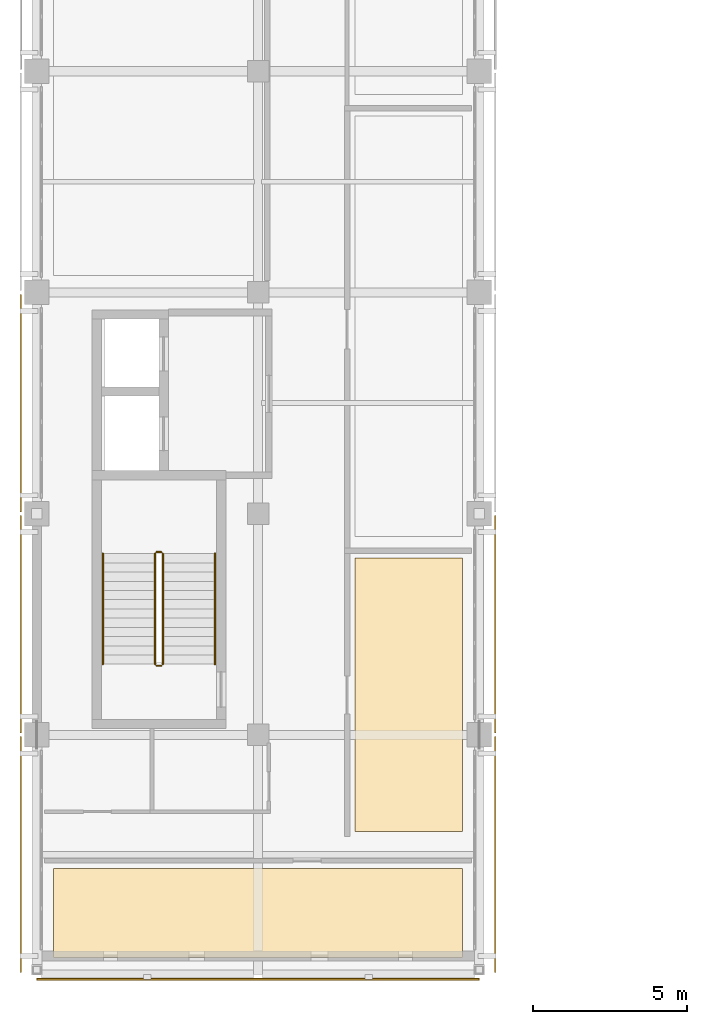
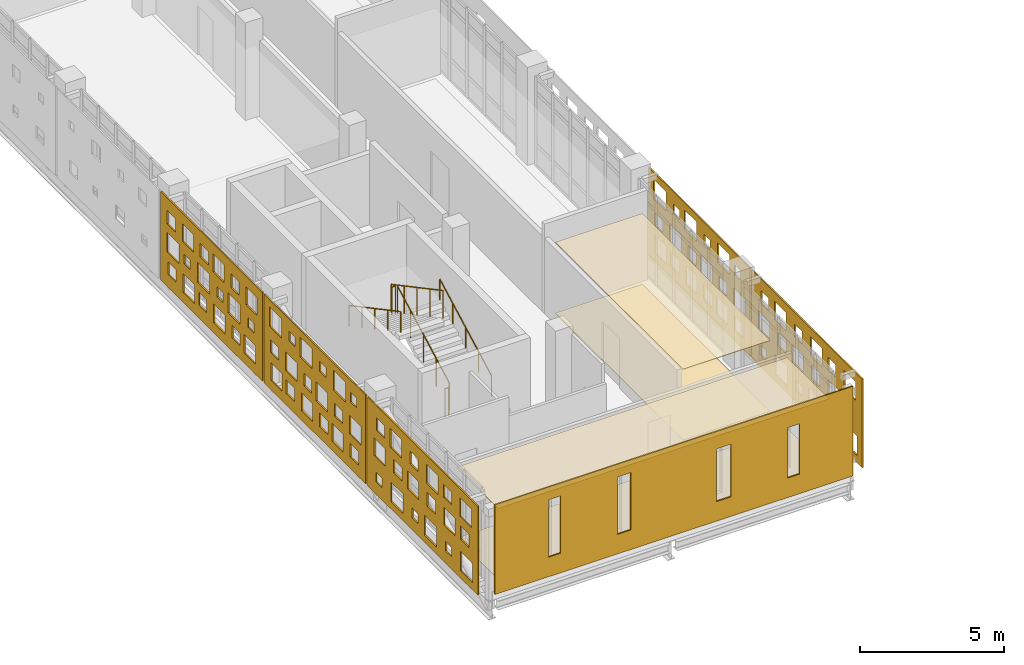
# One storey, part 30 of 33: 10 coverings, 6 railings.
"""IFC4 building model written with IfcOpenShell, lengths in metres."""

from ifc_helpers import new_model, si_unit, direction, frame, origin, origin_2d, place, context, subcontext, project, spatial, polyline, circle, outline, extrude, material, layer, layer_set, type_object, element, save


model = new_model("IFC4")

# Units and contexts
model_context = context("Model", 3, precision=1e-05, world=origin(), true_north=direction((0.0, 1.0)))
body_context = subcontext(model_context, "Body", "Model", "MODEL_VIEW")
ifc_project = project(units=[si_unit("LENGTHUNIT", "METRE"), si_unit("AREAUNIT", "SQUARE_METRE"), si_unit("VOLUMEUNIT", "CUBIC_METRE"), si_unit("PLANEANGLEUNIT", "RADIAN"), si_unit("MASSUNIT", "GRAM", prefix="KILO")], contexts=[model_context])

# Site, building, storey
site_placement = place(None, origin())
site = spatial("IfcSite", under=ifc_project, at=site_placement, CompositionType="ELEMENT")
building_placement = place(site_placement, origin())
building = spatial("IfcBuilding", under=site, at=building_placement, Name="Valkovuoma Quantum and Materials Research Institute", CompositionType="ELEMENT")
storey_placement = place(building_placement, frame((0.0, 0.0, 25.60009765625)))
storey = spatial("IfcBuildingStorey", under=building, at=storey_placement, Name="L06", CompositionType="ELEMENT", Elevation=25.60009765625)

# Coverings
ifc_material_1 = material(Name="Cleanable acoustic mineral-fibre suspended ceiling", Category="masonry")
ifc_layer_1 = layer(ifc_material_1, 0.02490234375)
ifc_layer_set_1 = layer_set([ifc_layer_1], Name="Cleanable acoustic mineral-fibre suspended ceiling")
covering_type_1 = type_object("IfcCoveringType", Name="Cov-CEIL-01", PredefinedType="CEILING", material=ifc_layer_set_1)
covering_1_placement = place(storey_placement, frame((0.0, 0.0, 3.0)))
element("IfcCovering", 1, at=covering_1_placement, inside=storey, type_object=covering_type_1, Name="L06 acoustic ceiling 0133", PredefinedType="CEILING", context=body_context, shape_type="SweptSolid", body=[
    extrude(outline(polyline([(0.550048828125, 21.550048828125), (13.85009765625, 21.550048828125), (13.85009765625, 24.449951171875), (0.550048828125, 24.449951171875), (0.550048828125, 21.550048828125)])), origin(), (0.0, 0.0, 1.0), 0.02490234375),
])
covering_2_placement = place(storey_placement, frame((0.0, 0.0, 3.0)))
element("IfcCovering", 2, at=covering_2_placement, inside=storey, type_object=covering_type_1, Name="L06 acoustic ceiling 0137", PredefinedType="CEILING", context=body_context, shape_type="SweptSolid", body=[
    extrude(outline(polyline([(10.35009765625, 25.64990234375), (13.85009765625, 25.64990234375), (13.85009765625, 34.550048828125), (10.35009765625, 34.550048828125), (10.35009765625, 25.64990234375)])), origin(), (0.0, 0.0, 1.0), 0.02490234375),
])
ifc_material_2 = material(Name="Seamless dissipative laboratory resin flooring", Category="masonry")
ifc_layer_2 = layer(ifc_material_2, 0.014892578125)
ifc_layer_set_2 = layer_set([ifc_layer_2], Name="Seamless dissipative laboratory resin flooring")
covering_type_2 = type_object("IfcCoveringType", Name="Cov-FLOR-01", PredefinedType="FLOORING", material=ifc_layer_set_2)
covering_3_placement = place(storey_placement, origin())
element("IfcCovering", 3, at=covering_3_placement, inside=storey, type_object=covering_type_2, Name="L06 resin flooring 0133", PredefinedType="FLOORING", context=body_context, shape_type="SweptSolid", body=[
    extrude(outline(polyline([(0.550048828125, 21.550048828125), (13.85009765625, 21.550048828125), (13.85009765625, 24.449951171875), (0.550048828125, 24.449951171875), (0.550048828125, 21.550048828125)])), origin(), (0.0, 0.0, 1.0), 0.014892578125),
])
covering_4_placement = place(storey_placement, origin())
element("IfcCovering", 4, at=covering_4_placement, inside=storey, type_object=covering_type_2, Name="L06 resin flooring 0137", PredefinedType="FLOORING", context=body_context, shape_type="SweptSolid", body=[
    extrude(outline(polyline([(10.35009765625, 25.64990234375), (13.85009765625, 25.64990234375), (13.85009765625, 34.550048828125), (10.35009765625, 34.550048828125), (10.35009765625, 25.64990234375)])), origin(), (0.0, 0.0, 1.0), 0.014892578125),
])
ifc_material_3 = material(Name="White powder-coated aluminium architectural panel", Category="aluminium")
ifc_layer_3 = layer(ifc_material_3, 0.054931640625)
ifc_layer_set_3 = layer_set([ifc_layer_3], Name="White powder-coated aluminium architectural panel")
covering_type_3 = type_object("IfcCoveringType", Name="Cov-PERF-DENSE", PredefinedType="CLADDING", material=ifc_layer_set_3)
covering_5_placement = place(storey_placement, frame((-0.52001953125, 21.06005859375, 0.02001953125), z_axis=(0.0, 0.0, 1.0), x_axis=(0.0, 1.0, 0.0)))
element("IfcCovering", 5, at=covering_5_placement, inside=storey, type_object=covering_type_3, Name="L06 graduated perforated white screen W-0076", PredefinedType="CLADDING", context=body_context, shape_type="SweptSolid", body=[
    extrude(outline(polyline([(0.0, 0.0), (7.679931640625, 0.0), (7.679931640625, 3.769775390625), (0.0, 3.769775390625), (0.0, 0.0)]), holes=[polyline([(0.368408203125, 0.304931640625), (0.368408203125, 1.14501953125), (1.208251953125, 1.14501953125), (1.208251953125, 0.304931640625), (0.368408203125, 0.304931640625)]), polyline([(0.618408203125, 1.64501953125), (0.618408203125, 2.22509765625), (1.1982421875, 2.22509765625), (1.1982421875, 1.64501953125), (0.618408203125, 1.64501953125)]), polyline([(0.4482421875, 2.594970703125), (0.4482421875, 3.39501953125), (1.248291015625, 3.39501953125), (1.248291015625, 2.594970703125), (0.4482421875, 2.594970703125)]), polyline([(1.8349609375, 0.514892578125), (1.8349609375, 0.93505859375), (2.2548828125, 0.93505859375), (2.2548828125, 0.514892578125), (1.8349609375, 0.514892578125)]), polyline([(1.60498046875, 1.554931640625), (1.60498046875, 2.31494140625), (2.364990234375, 2.31494140625), (2.364990234375, 1.554931640625), (1.60498046875, 1.554931640625)]), polyline([(1.8349609375, 2.72509765625), (1.8349609375, 3.264892578125), (2.375, 3.264892578125), (2.375, 2.72509765625), (1.8349609375, 2.72509765625)]), polyline([(2.881591796875, 0.304931640625), (2.881591796875, 1.14501953125), (3.7216796875, 1.14501953125), (3.7216796875, 0.304931640625), (2.881591796875, 0.304931640625)]), polyline([(2.95166015625, 1.64501953125), (2.95166015625, 2.22509765625), (3.53173828125, 2.22509765625), (3.53173828125, 1.64501953125), (2.95166015625, 1.64501953125)]), polyline([(2.78173828125, 2.594970703125), (2.78173828125, 3.39501953125), (3.581787109375, 3.39501953125), (3.581787109375, 2.594970703125), (2.78173828125, 2.594970703125)]), polyline([(4.168212890625, 0.514892578125), (4.168212890625, 0.93505859375), (4.58837890625, 0.93505859375), (4.58837890625, 0.514892578125), (4.168212890625, 0.514892578125)]), polyline([(4.118408203125, 1.554931640625), (4.118408203125, 2.31494140625), (4.87841796875, 2.31494140625), (4.87841796875, 1.554931640625), (4.118408203125, 1.554931640625)]), polyline([(4.168212890625, 2.72509765625), (4.168212890625, 3.264892578125), (4.708251953125, 3.264892578125), (4.708251953125, 2.72509765625), (4.168212890625, 2.72509765625)]), polyline([(5.215087890625, 0.304931640625), (5.215087890625, 1.14501953125), (6.054931640625, 1.14501953125), (6.054931640625, 0.304931640625), (5.215087890625, 0.304931640625)]), polyline([(5.284912109375, 1.64501953125), (5.284912109375, 2.22509765625), (5.864990234375, 2.22509765625), (5.864990234375, 1.64501953125), (5.284912109375, 1.64501953125)]), polyline([(5.294921875, 2.594970703125), (5.294921875, 3.39501953125), (6.094970703125, 3.39501953125), (6.094970703125, 2.594970703125), (5.294921875, 2.594970703125)]), polyline([(6.681640625, 0.514892578125), (6.681640625, 0.93505859375), (7.101806640625, 0.93505859375), (7.101806640625, 0.514892578125), (6.681640625, 0.514892578125)]), polyline([(6.45166015625, 1.554931640625), (6.45166015625, 2.31494140625), (7.211669921875, 2.31494140625), (7.211669921875, 1.554931640625), (6.45166015625, 1.554931640625)]), polyline([(6.501708984375, 2.72509765625), (6.501708984375, 3.264892578125), (7.041748046875, 3.264892578125), (7.041748046875, 2.72509765625), (6.501708984375, 2.72509765625)])]), frame((0.0, 0.02734375, 0.0), z_axis=(0.0, -1.0, 0.0), x_axis=(1.0, 0.0, 0.0)), (0.0, 0.0, 1.0), 0.054931640625),
])
covering_6_placement = place(storey_placement, frame((14.919921875, 21.06005859375, 0.02001953125), z_axis=(0.0, 0.0, 1.0), x_axis=(0.0, 1.0, 0.0)))
element("IfcCovering", 6, at=covering_6_placement, inside=storey, type_object=covering_type_3, Name="L06 graduated perforated white screen E-0077", PredefinedType="CLADDING", context=body_context, shape_type="SweptSolid", body=[
    extrude(outline(polyline([(0.0, 0.0), (7.679931640625, 0.0), (7.679931640625, 3.769775390625), (0.0, 3.769775390625), (0.0, 0.0)]), holes=[polyline([(0.368408203125, 0.304931640625), (0.368408203125, 1.14501953125), (1.208251953125, 1.14501953125), (1.208251953125, 0.304931640625), (0.368408203125, 0.304931640625)]), polyline([(0.618408203125, 1.64501953125), (0.618408203125, 2.22509765625), (1.1982421875, 2.22509765625), (1.1982421875, 1.64501953125), (0.618408203125, 1.64501953125)]), polyline([(0.4482421875, 2.594970703125), (0.4482421875, 3.39501953125), (1.248291015625, 3.39501953125), (1.248291015625, 2.594970703125), (0.4482421875, 2.594970703125)]), polyline([(1.8349609375, 0.514892578125), (1.8349609375, 0.93505859375), (2.2548828125, 0.93505859375), (2.2548828125, 0.514892578125), (1.8349609375, 0.514892578125)]), polyline([(1.60498046875, 1.554931640625), (1.60498046875, 2.31494140625), (2.364990234375, 2.31494140625), (2.364990234375, 1.554931640625), (1.60498046875, 1.554931640625)]), polyline([(1.8349609375, 2.72509765625), (1.8349609375, 3.264892578125), (2.375, 3.264892578125), (2.375, 2.72509765625), (1.8349609375, 2.72509765625)]), polyline([(2.881591796875, 0.304931640625), (2.881591796875, 1.14501953125), (3.7216796875, 1.14501953125), (3.7216796875, 0.304931640625), (2.881591796875, 0.304931640625)]), polyline([(2.95166015625, 1.64501953125), (2.95166015625, 2.22509765625), (3.53173828125, 2.22509765625), (3.53173828125, 1.64501953125), (2.95166015625, 1.64501953125)]), polyline([(2.78173828125, 2.594970703125), (2.78173828125, 3.39501953125), (3.581787109375, 3.39501953125), (3.581787109375, 2.594970703125), (2.78173828125, 2.594970703125)]), polyline([(4.168212890625, 0.514892578125), (4.168212890625, 0.93505859375), (4.58837890625, 0.93505859375), (4.58837890625, 0.514892578125), (4.168212890625, 0.514892578125)]), polyline([(4.118408203125, 1.554931640625), (4.118408203125, 2.31494140625), (4.87841796875, 2.31494140625), (4.87841796875, 1.554931640625), (4.118408203125, 1.554931640625)]), polyline([(4.168212890625, 2.72509765625), (4.168212890625, 3.264892578125), (4.708251953125, 3.264892578125), (4.708251953125, 2.72509765625), (4.168212890625, 2.72509765625)]), polyline([(5.215087890625, 0.304931640625), (5.215087890625, 1.14501953125), (6.054931640625, 1.14501953125), (6.054931640625, 0.304931640625), (5.215087890625, 0.304931640625)]), polyline([(5.284912109375, 1.64501953125), (5.284912109375, 2.22509765625), (5.864990234375, 2.22509765625), (5.864990234375, 1.64501953125), (5.284912109375, 1.64501953125)]), polyline([(5.294921875, 2.594970703125), (5.294921875, 3.39501953125), (6.094970703125, 3.39501953125), (6.094970703125, 2.594970703125), (5.294921875, 2.594970703125)]), polyline([(6.681640625, 0.514892578125), (6.681640625, 0.93505859375), (7.101806640625, 0.93505859375), (7.101806640625, 0.514892578125), (6.681640625, 0.514892578125)]), polyline([(6.45166015625, 1.554931640625), (6.45166015625, 2.31494140625), (7.211669921875, 2.31494140625), (7.211669921875, 1.554931640625), (6.45166015625, 1.554931640625)]), polyline([(6.501708984375, 2.72509765625), (6.501708984375, 3.264892578125), (7.041748046875, 3.264892578125), (7.041748046875, 2.72509765625), (6.501708984375, 2.72509765625)])]), frame((0.0, 0.02734375, 0.0), z_axis=(0.0, -1.0, 0.0), x_axis=(1.0, 0.0, 0.0)), (0.0, 0.0, 1.0), 0.054931640625),
])
covering_7_placement = place(storey_placement, frame((-0.52001953125, 28.860107421875, 0.02001953125), z_axis=(0.0, 0.0, 1.0), x_axis=(0.0, 1.0, 0.0)))
element("IfcCovering", 7, at=covering_7_placement, inside=storey, type_object=covering_type_3, Name="L06 graduated perforated white screen W-0078", PredefinedType="CLADDING", context=body_context, shape_type="SweptSolid", body=[
    extrude(outline(polyline([(0.0, 0.0), (7.079833984375, 0.0), (7.079833984375, 3.769775390625), (0.0, 3.769775390625), (0.0, 0.0)]), holes=[polyline([(0.50830078125, 0.485107421875), (0.50830078125, 1.06494140625), (1.08837890625, 1.06494140625), (1.08837890625, 0.485107421875), (0.50830078125, 0.485107421875)]), polyline([(0.33837890625, 1.43505859375), (0.33837890625, 2.235107421875), (1.13818359375, 2.235107421875), (1.13818359375, 1.43505859375), (0.33837890625, 1.43505859375)]), polyline([(0.648193359375, 2.8349609375), (0.648193359375, 3.2548828125), (1.068359375, 3.2548828125), (1.068359375, 2.8349609375), (0.648193359375, 2.8349609375)]), polyline([(1.574951171875, 0.39501953125), (1.574951171875, 1.155029296875), (2.3349609375, 1.155029296875), (2.3349609375, 0.39501953125), (1.574951171875, 0.39501953125)]), polyline([(1.625, 1.56494140625), (1.625, 2.10498046875), (2.1650390625, 2.10498046875), (2.1650390625, 1.56494140625), (1.625, 1.56494140625)]), polyline([(1.4150390625, 2.625), (1.4150390625, 3.465087890625), (2.2548828125, 3.465087890625), (2.2548828125, 2.625), (1.4150390625, 2.625)]), polyline([(2.6416015625, 0.485107421875), (2.6416015625, 1.06494140625), (3.2216796875, 1.06494140625), (3.2216796875, 0.485107421875), (2.6416015625, 0.485107421875)]), polyline([(2.651611328125, 1.43505859375), (2.651611328125, 2.235107421875), (3.45166015625, 2.235107421875), (3.45166015625, 1.43505859375), (2.651611328125, 1.43505859375)]), polyline([(2.78173828125, 2.8349609375), (2.78173828125, 3.2548828125), (3.20166015625, 3.2548828125), (3.20166015625, 2.8349609375), (2.78173828125, 2.8349609375)]), polyline([(3.708251953125, 0.39501953125), (3.708251953125, 1.155029296875), (4.46826171875, 1.155029296875), (4.46826171875, 0.39501953125), (3.708251953125, 0.39501953125)]), polyline([(3.75830078125, 1.56494140625), (3.75830078125, 2.10498046875), (4.29833984375, 2.10498046875), (4.29833984375, 1.56494140625), (3.75830078125, 1.56494140625)]), polyline([(3.728271484375, 2.625), (3.728271484375, 3.465087890625), (4.568359375, 3.465087890625), (4.568359375, 2.625), (3.728271484375, 2.625)]), polyline([(4.955078125, 0.485107421875), (4.955078125, 1.06494140625), (5.534912109375, 1.06494140625), (5.534912109375, 0.485107421875), (4.955078125, 0.485107421875)]), polyline([(4.784912109375, 1.43505859375), (4.784912109375, 2.235107421875), (5.5849609375, 2.235107421875), (5.5849609375, 1.43505859375), (4.784912109375, 1.43505859375)]), polyline([(4.9150390625, 2.8349609375), (4.9150390625, 3.2548828125), (5.3349609375, 3.2548828125), (5.3349609375, 2.8349609375), (4.9150390625, 2.8349609375)]), polyline([(5.841796875, 0.39501953125), (5.841796875, 1.155029296875), (6.601806640625, 1.155029296875), (6.601806640625, 0.39501953125), (5.841796875, 0.39501953125)]), polyline([(6.07177734375, 1.56494140625), (6.07177734375, 2.10498046875), (6.61181640625, 2.10498046875), (6.61181640625, 1.56494140625), (6.07177734375, 1.56494140625)]), polyline([(5.86181640625, 2.625), (5.86181640625, 3.465087890625), (6.70166015625, 3.465087890625), (6.70166015625, 2.625), (5.86181640625, 2.625)])]), frame((0.0, 0.02734375, 0.0), z_axis=(0.0, -1.0, 0.0), x_axis=(1.0, 0.0, 0.0)), (0.0, 0.0, 1.0), 0.054931640625),
])
covering_8_placement = place(storey_placement, frame((14.919921875, 28.860107421875, 0.02001953125), z_axis=(0.0, 0.0, 1.0), x_axis=(0.0, 1.0, 0.0)))
element("IfcCovering", 8, at=covering_8_placement, inside=storey, type_object=covering_type_3, Name="L06 graduated perforated white screen E-0079", PredefinedType="CLADDING", context=body_context, shape_type="SweptSolid", body=[
    extrude(outline(polyline([(0.0, 0.0), (7.079833984375, 0.0), (7.079833984375, 3.769775390625), (0.0, 3.769775390625), (0.0, 0.0)]), holes=[polyline([(0.50830078125, 0.485107421875), (0.50830078125, 1.06494140625), (1.08837890625, 1.06494140625), (1.08837890625, 0.485107421875), (0.50830078125, 0.485107421875)]), polyline([(0.33837890625, 1.43505859375), (0.33837890625, 2.235107421875), (1.13818359375, 2.235107421875), (1.13818359375, 1.43505859375), (0.33837890625, 1.43505859375)]), polyline([(0.648193359375, 2.8349609375), (0.648193359375, 3.2548828125), (1.068359375, 3.2548828125), (1.068359375, 2.8349609375), (0.648193359375, 2.8349609375)]), polyline([(1.574951171875, 0.39501953125), (1.574951171875, 1.155029296875), (2.3349609375, 1.155029296875), (2.3349609375, 0.39501953125), (1.574951171875, 0.39501953125)]), polyline([(1.625, 1.56494140625), (1.625, 2.10498046875), (2.1650390625, 2.10498046875), (2.1650390625, 1.56494140625), (1.625, 1.56494140625)]), polyline([(1.4150390625, 2.625), (1.4150390625, 3.465087890625), (2.2548828125, 3.465087890625), (2.2548828125, 2.625), (1.4150390625, 2.625)]), polyline([(2.6416015625, 0.485107421875), (2.6416015625, 1.06494140625), (3.2216796875, 1.06494140625), (3.2216796875, 0.485107421875), (2.6416015625, 0.485107421875)]), polyline([(2.651611328125, 1.43505859375), (2.651611328125, 2.235107421875), (3.45166015625, 2.235107421875), (3.45166015625, 1.43505859375), (2.651611328125, 1.43505859375)]), polyline([(2.78173828125, 2.8349609375), (2.78173828125, 3.2548828125), (3.20166015625, 3.2548828125), (3.20166015625, 2.8349609375), (2.78173828125, 2.8349609375)]), polyline([(3.708251953125, 0.39501953125), (3.708251953125, 1.155029296875), (4.46826171875, 1.155029296875), (4.46826171875, 0.39501953125), (3.708251953125, 0.39501953125)]), polyline([(3.75830078125, 1.56494140625), (3.75830078125, 2.10498046875), (4.29833984375, 2.10498046875), (4.29833984375, 1.56494140625), (3.75830078125, 1.56494140625)]), polyline([(3.728271484375, 2.625), (3.728271484375, 3.465087890625), (4.568359375, 3.465087890625), (4.568359375, 2.625), (3.728271484375, 2.625)]), polyline([(4.955078125, 0.485107421875), (4.955078125, 1.06494140625), (5.534912109375, 1.06494140625), (5.534912109375, 0.485107421875), (4.955078125, 0.485107421875)]), polyline([(4.784912109375, 1.43505859375), (4.784912109375, 2.235107421875), (5.5849609375, 2.235107421875), (5.5849609375, 1.43505859375), (4.784912109375, 1.43505859375)]), polyline([(4.9150390625, 2.8349609375), (4.9150390625, 3.2548828125), (5.3349609375, 3.2548828125), (5.3349609375, 2.8349609375), (4.9150390625, 2.8349609375)]), polyline([(5.841796875, 0.39501953125), (5.841796875, 1.155029296875), (6.601806640625, 1.155029296875), (6.601806640625, 0.39501953125), (5.841796875, 0.39501953125)]), polyline([(6.07177734375, 1.56494140625), (6.07177734375, 2.10498046875), (6.61181640625, 2.10498046875), (6.61181640625, 1.56494140625), (6.07177734375, 1.56494140625)]), polyline([(5.86181640625, 2.625), (5.86181640625, 3.465087890625), (6.70166015625, 3.465087890625), (6.70166015625, 2.625), (5.86181640625, 2.625)])]), frame((0.0, 0.02734375, 0.0), z_axis=(0.0, -1.0, 0.0), x_axis=(1.0, 0.0, 0.0)), (0.0, 0.0, 1.0), 0.054931640625),
])
covering_9_placement = place(storey_placement, frame((-0.52001953125, 36.06005859375, 0.02001953125), z_axis=(0.0, 0.0, 1.0), x_axis=(0.0, 1.0, 0.0)))
element("IfcCovering", 9, at=covering_9_placement, inside=storey, type_object=covering_type_3, Name="L06 graduated perforated white screen W-0080", PredefinedType="CLADDING", context=body_context, shape_type="SweptSolid", body=[
    extrude(outline(polyline([(0.0, 0.0), (7.079833984375, 0.0), (7.079833984375, 3.769775390625), (0.0, 3.769775390625), (0.0, 0.0)]), holes=[polyline([(0.458251953125, 0.425048828125), (0.458251953125, 1.22509765625), (1.25830078125, 1.22509765625), (1.25830078125, 0.425048828125), (0.458251953125, 0.425048828125)]), polyline([(0.58837890625, 1.675048828125), (0.58837890625, 2.094970703125), (1.00830078125, 2.094970703125), (1.00830078125, 1.675048828125), (0.58837890625, 1.675048828125)]), polyline([(0.3583984375, 2.56494140625), (0.3583984375, 3.324951171875), (1.118408203125, 3.324951171875), (1.118408203125, 2.56494140625), (0.3583984375, 2.56494140625)]), polyline([(1.56494140625, 0.554931640625), (1.56494140625, 1.094970703125), (2.10498046875, 1.094970703125), (2.10498046875, 0.554931640625), (1.56494140625, 0.554931640625)]), polyline([(1.534912109375, 1.465087890625), (1.534912109375, 2.304931640625), (2.375, 2.304931640625), (2.375, 1.465087890625), (1.534912109375, 1.465087890625)]), polyline([(1.60498046875, 2.655029296875), (1.60498046875, 3.235107421875), (2.18505859375, 3.235107421875), (2.18505859375, 2.655029296875), (1.60498046875, 2.655029296875)]), polyline([(2.591796875, 0.425048828125), (2.591796875, 1.22509765625), (3.3916015625, 1.22509765625), (3.3916015625, 0.425048828125), (2.591796875, 0.425048828125)]), polyline([(2.7216796875, 1.675048828125), (2.7216796875, 2.094970703125), (3.1416015625, 2.094970703125), (3.1416015625, 1.675048828125), (2.7216796875, 1.675048828125)]), polyline([(2.671630859375, 2.56494140625), (2.671630859375, 3.324951171875), (3.431640625, 3.324951171875), (3.431640625, 2.56494140625), (2.671630859375, 2.56494140625)]), polyline([(3.87841796875, 0.554931640625), (3.87841796875, 1.094970703125), (4.418212890625, 1.094970703125), (4.418212890625, 0.554931640625), (3.87841796875, 0.554931640625)]), polyline([(3.668212890625, 1.465087890625), (3.668212890625, 2.304931640625), (4.50830078125, 2.304931640625), (4.50830078125, 1.465087890625), (3.668212890625, 1.465087890625)]), polyline([(3.73828125, 2.655029296875), (3.73828125, 3.235107421875), (4.318359375, 3.235107421875), (4.318359375, 2.655029296875), (3.73828125, 2.655029296875)]), polyline([(4.72509765625, 0.425048828125), (4.72509765625, 1.22509765625), (5.52490234375, 1.22509765625), (5.52490234375, 0.425048828125), (4.72509765625, 0.425048828125)]), polyline([(5.034912109375, 1.675048828125), (5.034912109375, 2.094970703125), (5.455078125, 2.094970703125), (5.455078125, 1.675048828125), (5.034912109375, 1.675048828125)]), polyline([(4.804931640625, 2.56494140625), (4.804931640625, 3.324951171875), (5.56494140625, 3.324951171875), (5.56494140625, 2.56494140625), (4.804931640625, 2.56494140625)]), polyline([(6.01171875, 0.554931640625), (6.01171875, 1.094970703125), (6.5517578125, 1.094970703125), (6.5517578125, 0.554931640625), (6.01171875, 0.554931640625)]), polyline([(5.8017578125, 1.465087890625), (5.8017578125, 2.304931640625), (6.6416015625, 2.304931640625), (6.6416015625, 1.465087890625), (5.8017578125, 1.465087890625)]), polyline([(6.0517578125, 2.655029296875), (6.0517578125, 3.235107421875), (6.631591796875, 3.235107421875), (6.631591796875, 2.655029296875), (6.0517578125, 2.655029296875)])]), frame((0.0, 0.02734375, 0.0), z_axis=(0.0, -1.0, 0.0), x_axis=(1.0, 0.0, 0.0)), (0.0, 0.0, 1.0), 0.054931640625),
])
ifc_material_4 = material(Name="White powder-coated aluminium architectural panel", Category="aluminium")
ifc_layer_4 = layer(ifc_material_4, 0.054931640625)
ifc_layer_set_4 = layer_set([ifc_layer_4], Name="White powder-coated aluminium architectural panel")
covering_type_4 = type_object("IfcCoveringType", Name="Cov-WHITE-01", PredefinedType="CLADDING", material=ifc_layer_set_4)
covering_10_placement = place(storey_placement, frame((0.0, 20.85009765625, 0.0), z_axis=(0.0, 0.0, 1.0), x_axis=(1.0, 0.0, 0.0)))
element("IfcCovering", 10, at=covering_10_placement, inside=storey, type_object=covering_type_4, Name="L06 south white slot-window end skin", PredefinedType="CLADDING", context=body_context, shape_type="SweptSolid", body=[
    extrude(outline(polyline([(0.0, 0.0), (14.39990234375, 0.0), (14.39990234375, 3.809814453125), (0.0, 3.809814453125), (0.0, 0.0)]), holes=[polyline([(2.155029296875, 0.830078125), (2.155029296875, 3.27001953125), (2.64501953125, 3.27001953125), (2.64501953125, 0.830078125), (2.155029296875, 0.830078125)]), polyline([(4.929931640625, 0.830078125), (4.929931640625, 3.27001953125), (5.469970703125, 3.27001953125), (5.469970703125, 0.830078125), (4.929931640625, 0.830078125)]), polyline([(8.905029296875, 0.830078125), (8.905029296875, 3.070068359375), (9.4951171875, 3.070068359375), (9.4951171875, 0.830078125), (8.905029296875, 0.830078125)]), polyline([(11.7548828125, 0.830078125), (11.7548828125, 2.969970703125), (12.2451171875, 2.969970703125), (12.2451171875, 0.830078125), (11.7548828125, 0.830078125)])]), frame((0.0, 0.02734375, 0.0), z_axis=(0.0, -1.0, 0.0), x_axis=(1.0, 0.0, 0.0)), (0.0, 0.0, 1.0), 0.054931640625),
])

# Railings
ifc_material_5 = material(Name="Painted steel stair balustrade", Category="steel")
railing_type_1 = type_object("IfcRailingType", Name="Rail-GRD-ST", PredefinedType="BALUSTRADE", material=ifc_material_5)
railing_1_placement = place(storey_placement, frame((4.10009765625, 31.10009765625, 0.159912109375)))
element("IfcRailing", 11, at=railing_1_placement, inside=storey, type_object=railing_type_1, Name="L06 ST-1 stair guard 1", PredefinedType="BALUSTRADE", context=body_context, shape_type="SweptSolid", body=[
    extrude(circle(Radius=0.02392578125, at=origin_2d()), frame((0.0, 0.0, 1.17578125), z_axis=(0.0, 0.882352941176, 0.470588235294), x_axis=(-1.0, 0.0, 0.0)), (0.0, 0.0, 1.0), 4.079833984375),
    extrude(circle(Radius=0.02099609375, at=origin_2d()), origin(), (0.0, 0.0, 1.0), 1.15185546875),
    extrude(circle(Radius=0.02099609375, at=origin_2d()), frame((0.0, 0.89990234375, 0.47998046875)), (0.0, 0.0, 1.0), 1.15185546875),
    extrude(circle(Radius=0.02099609375, at=origin_2d()), frame((0.0, 1.7998046875, 0.9599609375)), (0.0, 0.0, 1.0), 1.15185546875),
    extrude(circle(Radius=0.02099609375, at=origin_2d()), frame((0.0, 2.699951171875, 1.43994140625)), (0.0, 0.0, 1.0), 1.15185546875),
    extrude(circle(Radius=0.02099609375, at=origin_2d()), frame((0.0, 3.599853515625, 1.919921875)), (0.0, 0.0, 1.0), 1.15185546875),
])
railing_2_placement = place(storey_placement, frame((4.050048828125, 34.75, 2.079833984375)))
element("IfcRailing", 12, at=railing_2_placement, inside=storey, type_object=railing_type_1, Name="L06 ST-1 stair guard 2", PredefinedType="BALUSTRADE", context=body_context, shape_type="SweptSolid", body=[
    extrude(circle(Radius=0.02392578125, at=origin_2d()), frame((0.0, 0.0, 1.17578125), z_axis=(-1.0, 0.0, 0.0), x_axis=(0.0, -1.0, 0.0)), (0.0, 0.0, 1.0), 0.150146484375),
    extrude(circle(Radius=0.02099609375, at=origin_2d()), origin(), (0.0, 0.0, 1.0), 1.15185546875),
    extrude(circle(Radius=0.02099609375, at=origin_2d()), frame((-0.150146484375, 0.0, 0.0)), (0.0, 0.0, 1.0), 1.15185546875),
])
railing_3_placement = place(storey_placement, frame((3.85009765625, 34.699951171875, 2.239990234375)))
element("IfcRailing", 13, at=railing_3_placement, inside=storey, type_object=railing_type_1, Name="L06 ST-1 stair guard 3", PredefinedType="BALUSTRADE", context=body_context, shape_type="SweptSolid", body=[
    extrude(circle(Radius=0.02392578125, at=origin_2d()), frame((0.0, 0.0, 1.17578125), z_axis=(0.0, -0.882352941176, 0.470588235294), x_axis=(1.0, 0.0, 0.0)), (0.0, 0.0, 1.0), 4.079833984375),
    extrude(circle(Radius=0.02099609375, at=origin_2d()), origin(), (0.0, 0.0, 1.0), 1.15185546875),
    extrude(circle(Radius=0.02099609375, at=origin_2d()), frame((0.0, -0.89990234375, 0.47998046875)), (0.0, 0.0, 1.0), 1.15185546875),
    extrude(circle(Radius=0.02099609375, at=origin_2d()), frame((0.0, -1.7998046875, 0.9599609375)), (0.0, 0.0, 1.0), 1.15185546875),
    extrude(circle(Radius=0.02099609375, at=origin_2d()), frame((0.0, -2.699951171875, 1.43994140625)), (0.0, 0.0, 1.0), 1.15185546875),
    extrude(circle(Radius=0.02099609375, at=origin_2d()), frame((0.0, -3.599853515625, 1.919921875)), (0.0, 0.0, 1.0), 1.15185546875),
])
railing_4_placement = place(storey_placement, frame((4.050048828125, 31.050048828125, 0.0)))
element("IfcRailing", 14, at=railing_4_placement, inside=storey, type_object=railing_type_1, Name="L06 ST-1 stair guard 4", PredefinedType="BALUSTRADE", context=body_context, shape_type="SweptSolid", body=[
    extrude(circle(Radius=0.02392578125, at=origin_2d()), frame((0.0, 0.0, 1.17578125), z_axis=(-1.0, 0.0, 0.0), x_axis=(0.0, -1.0, 0.0)), (0.0, 0.0, 1.0), 0.150146484375),
    extrude(circle(Radius=0.02099609375, at=origin_2d()), origin(), (0.0, 0.0, 1.0), 1.15185546875),
    extrude(circle(Radius=0.02099609375, at=origin_2d()), frame((-0.150146484375, 0.0, 0.0)), (0.0, 0.0, 1.0), 1.15185546875),
])
ifc_material_6 = material(Name="Brushed stainless steel handrail", Category="steel")
railing_type_2 = type_object("IfcRailingType", Name="Rail-HR-ST", PredefinedType="HANDRAIL", material=ifc_material_6)
railing_5_placement = place(storey_placement, frame((5.800048828125, 31.10009765625, 0.159912109375)))
element("IfcRailing", 15, at=railing_5_placement, inside=storey, type_object=railing_type_2, Name="L06 ST-1 stair handrail 1", PredefinedType="HANDRAIL", context=body_context, shape_type="SweptSolid", body=[
    extrude(circle(Radius=0.02392578125, at=origin_2d()), frame((0.0, 0.0, 0.8759765625), z_axis=(0.0, 0.882352941176, 0.470588235294), x_axis=(-1.0, 0.0, 0.0)), (0.0, 0.0, 1.0), 4.079833984375),
    extrude(circle(Radius=0.02099609375, at=origin_2d()), origin(), (0.0, 0.0, 1.0), 0.851806640625),
    extrude(circle(Radius=0.02099609375, at=origin_2d()), frame((0.0, 0.89990234375, 0.47998046875)), (0.0, 0.0, 1.0), 0.851806640625),
    extrude(circle(Radius=0.02099609375, at=origin_2d()), frame((0.0, 1.7998046875, 0.9599609375)), (0.0, 0.0, 1.0), 0.851806640625),
    extrude(circle(Radius=0.02099609375, at=origin_2d()), frame((0.0, 2.699951171875, 1.43994140625)), (0.0, 0.0, 1.0), 0.851806640625),
    extrude(circle(Radius=0.02099609375, at=origin_2d()), frame((0.0, 3.599853515625, 1.919921875)), (0.0, 0.0, 1.0), 0.851806640625),
])
railing_6_placement = place(storey_placement, frame((2.14990234375, 34.699951171875, 2.239990234375)))
element("IfcRailing", 16, at=railing_6_placement, inside=storey, type_object=railing_type_2, Name="L06 ST-1 stair handrail 2", PredefinedType="HANDRAIL", context=body_context, shape_type="SweptSolid", body=[
    extrude(circle(Radius=0.02392578125, at=origin_2d()), frame((0.0, 0.0, 0.8759765625), z_axis=(0.0, -0.882352941176, 0.470588235294), x_axis=(1.0, 0.0, 0.0)), (0.0, 0.0, 1.0), 4.079833984375),
    extrude(circle(Radius=0.02099609375, at=origin_2d()), origin(), (0.0, 0.0, 1.0), 0.851806640625),
    extrude(circle(Radius=0.02099609375, at=origin_2d()), frame((0.0, -0.89990234375, 0.47998046875)), (0.0, 0.0, 1.0), 0.851806640625),
    extrude(circle(Radius=0.02099609375, at=origin_2d()), frame((0.0, -1.7998046875, 0.9599609375)), (0.0, 0.0, 1.0), 0.851806640625),
    extrude(circle(Radius=0.02099609375, at=origin_2d()), frame((0.0, -2.699951171875, 1.43994140625)), (0.0, 0.0, 1.0), 0.851806640625),
    extrude(circle(Radius=0.02099609375, at=origin_2d()), frame((0.0, -3.599853515625, 1.919921875)), (0.0, 0.0, 1.0), 0.851806640625),
])

save(model, "model.ifc")
